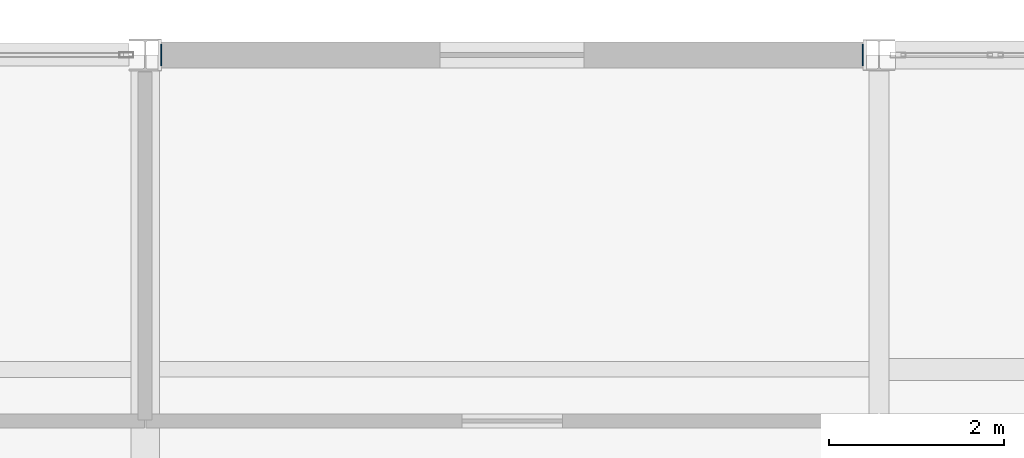
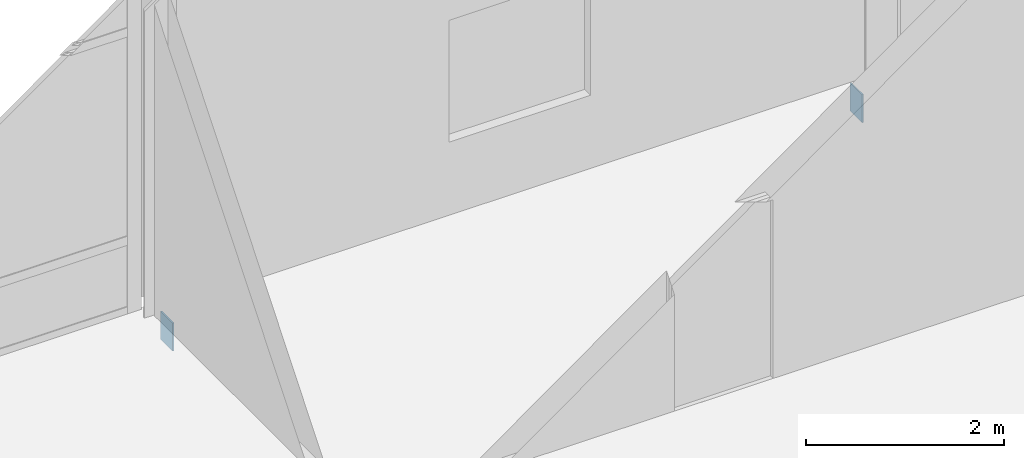
# One storey, part 150 of 186: 2 plates.
"""IFC4 building model written with IfcOpenShell, lengths in metres."""

from ifc_helpers import new_model, si_unit, direction, frame, origin, origin_2d, place, context, subcontext, project, spatial, rectangle, extrude, material, layer, layer_set, type_object, element, save


model = new_model("IFC4")

# Units and contexts
model_context = context("Model", 3, precision=1e-05, world=origin(), true_north=direction((0.0, 1.0)))
body_context = subcontext(model_context, "Body", "Model", "MODEL_VIEW")
ifc_project = project(units=[si_unit("LENGTHUNIT", "METRE"), si_unit("AREAUNIT", "SQUARE_METRE"), si_unit("VOLUMEUNIT", "CUBIC_METRE"), si_unit("PLANEANGLEUNIT", "RADIAN"), si_unit("MASSUNIT", "GRAM", prefix="KILO")], contexts=[model_context])

# Site, building, storey
site_placement = place(None, origin())
site = spatial("IfcSite", under=ifc_project, at=site_placement, CompositionType="ELEMENT")
building_placement = place(site_placement, origin())
building = spatial("IfcBuilding", under=site, at=building_placement, Name="Calvrana Isthmian Art Gallery", CompositionType="ELEMENT")
storey_placement = place(building_placement, frame((0.0, 0.0, 5.39990234375)))
storey = spatial("IfcBuildingStorey", under=building, at=storey_placement, Name="L01", CompositionType="ELEMENT", Elevation=5.39990234375)

# Plates
ifc_material = material(Name="Steel ASTM A572 Gr 50", Category="steel")
ifc_layer = layer(ifc_material, 0.01611328125, Name="Steel ASTM A572 Gr 50")
ifc_layer_set = layer_set([ifc_layer], Name="Steel ASTM A572 Gr 50")
plate_type = type_object("IfcPlateType", Name="PL-CAP-16", PredefinedType="SHEET", material=ifc_layer_set)
for number, where, z_axis, x_axis, name in (
    (1, (30.18408203125, 112.800048828125, -0.569580078125), (0.0, 0.0, 1.0), (1.0, 0.0, 0.0), "Hollow section end cap plate 433"),
    (2, (38.21337890625, 112.800048828125, -0.569580078125), (0.0, 0.0, 1.0), (1.0, 0.0, 0.0), "Hollow section end cap plate 434"),
):
    element("IfcPlate", number, at=place(storey_placement, frame(where, z_axis=z_axis, x_axis=x_axis)), inside=storey, type_object=plate_type, Name=name, PredefinedType="SHEET", context=body_context, shape_type="SweptSolid", body=[
        extrude(rectangle(XDim=0.01611328125, YDim=0.2431640625, at=origin_2d()), origin(), (0.0, 0.0, 1.0), 0.3447265625),
    ])

save(model, "model.ifc")
